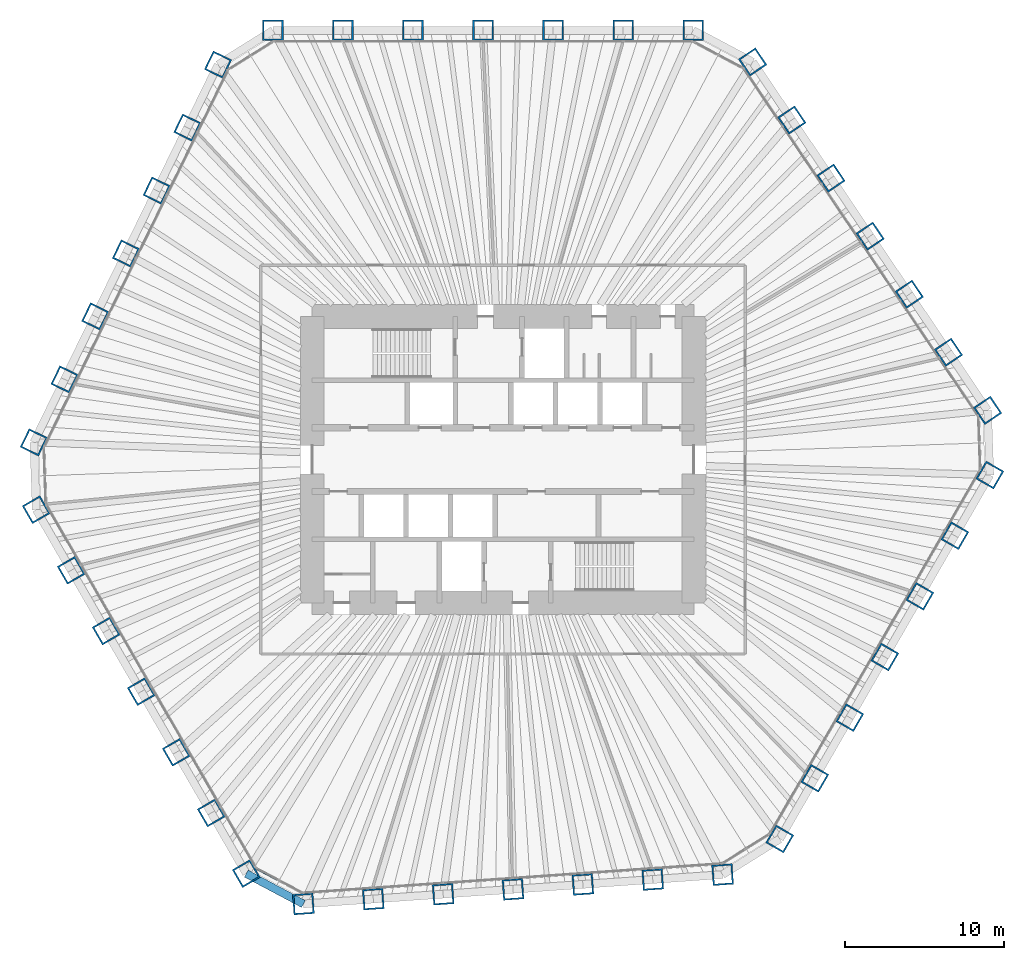
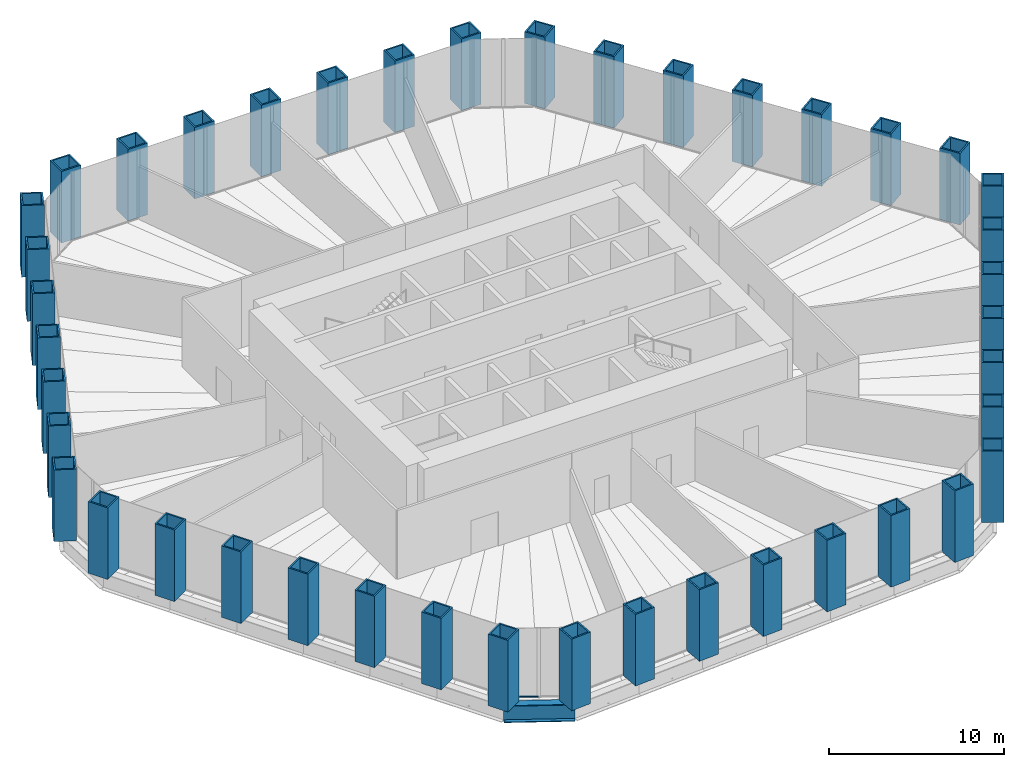
# One storey, part 1 of 13: 42 columns, 1 beam, 1 member, 1 element without a shape of its own.
"""IFC4 building model written with IfcOpenShell, lengths in metres."""

from ifc_helpers import new_model, si_unit, direction, frame, origin, origin_2d, place, context, subcontext, project, spatial, rectangle, hollow_rectangle, i_section, extrude, material, material_profile, profile_set, type_object, element, aggregate, save


model = new_model("IFC4")

# Units and contexts
model_context = context("Model", 3, precision=1e-05, world=origin(), true_north=direction((0.0, 1.0)))
body_context = subcontext(model_context, "Body", "Model", "MODEL_VIEW")
ifc_project = project(units=[si_unit("LENGTHUNIT", "METRE"), si_unit("AREAUNIT", "SQUARE_METRE"), si_unit("VOLUMEUNIT", "CUBIC_METRE"), si_unit("PLANEANGLEUNIT", "RADIAN"), si_unit("MASSUNIT", "GRAM", prefix="KILO")], contexts=[model_context])

# Site, building, storey
site_placement = place(None, origin())
site = spatial("IfcSite", under=ifc_project, at=site_placement, CompositionType="ELEMENT")
building_placement = place(site_placement, origin())
building = spatial("IfcBuilding", under=site, at=building_placement, Name="Qingtian Harvest Tower", CompositionType="ELEMENT")
storey_placement = place(building_placement, frame((0.0, 0.0, 32.0)))
storey = spatial("IfcBuildingStorey", under=building, at=storey_placement, Name="L06", CompositionType="ELEMENT", Elevation=32.0)

# Columns
ifc_material_1 = material(Name="Steel SM570MC", Category="steel")
ifc_material_profile_1 = material_profile(ifc_material_1, hollow_rectangle(XDim=1.300048828125, YDim=1.300048828125, WallThickness=0.10009765625, at=origin_2d()), Name="BOX1300x1300x100")
ifc_profile_set_1 = profile_set([ifc_material_profile_1], Name="Steel SM570MC")
column_type = type_object("IfcColumnType", Name="Tube column TC1 BOX1300x1300x100", PredefinedType="COLUMN", material=ifc_profile_set_1)
for number, where, z_axis, x_axis, name in (
    (1, (-14.471435546875, 27.0, 0.0), (0.0, 0.0, 1.0), (-1.0, 0.0, 0.0), "Tube column TC1 N0"),
    (2, (-10.06689453125, 27.0, 0.0), (0.0, 0.0, 1.0), (-1.0, 0.0, 0.0), "Tube column TC1 N1"),
    (3, (-5.662353515625, 27.0, 0.0), (0.0, 0.0, 1.0), (-1.0, 0.0, 0.0), "Tube column TC1 N2"),
    (4, (-1.257568359375, 27.0, 0.0), (0.0, 0.0, 1.0), (-1.0, 0.0, 0.0), "Tube column TC1 N3"),
    (5, (3.14697265625, 27.0, 0.0), (0.0, 0.0, 1.0), (-1.0, 0.0, 0.0), "Tube column TC1 N4"),
    (6, (7.551513671875, 27.0, 0.0), (0.0, 0.0, 1.0), (-1.0, 0.0, 0.0), "Tube column TC1 N5"),
    (7, (11.9560546875, 27.0, 0.0), (0.0, 0.0, 1.0), (-1.0, 0.0, 0.0), "Tube column TC1 N6"),
    (8, (15.6982421875, 25.01025390625, 0.0), (0.0, 0.0, 1.0), (-0.559192903471, 0.829037572555, 0.0), "Tube column TC1 NE0"),
    (9, (18.1611328125, 21.358642578125, 0.0), (0.0, 0.0, 1.0), (-0.559192903471, 0.829037572555, 0.0), "Tube column TC1 NE1"),
    (10, (20.624267578125, 17.70703125, 0.0), (0.0, 0.0, 1.0), (-0.559192903471, 0.829037572555, 0.0), "Tube column TC1 NE2"),
    (11, (23.08740234375, 14.0556640625, 0.0), (0.0, 0.0, 1.0), (-0.559192903471, 0.829037572555, 0.0), "Tube column TC1 NE3"),
    (12, (25.55029296875, 10.404052734375, 0.0), (0.0, 0.0, 1.0), (-0.559192903471, 0.829037572555, 0.0), "Tube column TC1 NE4"),
    (13, (28.013427734375, 6.75244140625, 0.0), (0.0, 0.0, 1.0), (-0.559192903471, 0.829037572555, 0.0), "Tube column TC1 NE5"),
    (14, (30.476318359375, 3.100830078125, 0.0), (0.0, 0.0, 1.0), (-0.559192903471, 0.829037572555, 0.0), "Tube column TC1 NE6"),
    (15, (30.618408203125, -0.96728515625, 0.0), (0.0, 0.0, 1.0), (0.5, 0.866025403784, 0.0), "Tube column TC1 SE0"),
    (16, (28.416015625, -4.78173828125, 0.0), (0.0, 0.0, 1.0), (0.5, 0.866025403784, 0.0), "Tube column TC1 SE1"),
    (17, (26.2138671875, -8.596435546875, 0.0), (0.0, 0.0, 1.0), (0.5, 0.866025403784, 0.0), "Tube column TC1 SE2"),
    (18, (24.011474609375, -12.410888671875, 0.0), (0.0, 0.0, 1.0), (0.5, 0.866025403784, 0.0), "Tube column TC1 SE3"),
    (19, (21.809326171875, -16.225341796875, 0.0), (0.0, 0.0, 1.0), (0.5, 0.866025403784, 0.0), "Tube column TC1 SE4"),
    (20, (19.60693359375, -20.039794921875, 0.0), (0.0, 0.0, 1.0), (0.5, 0.866025403784, 0.0), "Tube column TC1 SE5"),
    (21, (17.404541015625, -23.854248046875, 0.0), (0.0, 0.0, 1.0), (0.5, 0.866025403784, 0.0), "Tube column TC1 SE6"),
    (22, (13.810546875, -26.10009765625, 0.0), (0.0, 0.0, 1.0), (0.99756405026, 0.069756473744, 0.0), "Tube column TC1 S0"),
    (23, (9.41650390625, -26.407470703125, 0.0), (0.0, 0.0, 1.0), (0.99756405026, 0.069756473744, 0.0), "Tube column TC1 S1"),
    (24, (5.022705078125, -26.714599609375, 0.0), (0.0, 0.0, 1.0), (0.99756405026, 0.069756473744, 0.0), "Tube column TC1 S2"),
    (25, (0.62890625, -27.02197265625, 0.0), (0.0, 0.0, 1.0), (0.99756405026, 0.069756473744, 0.0), "Tube column TC1 S3"),
    (26, (-3.76513671875, -27.3291015625, 0.0), (0.0, 0.0, 1.0), (0.99756405026, 0.069756473744, 0.0), "Tube column TC1 S4"),
    (27, (-8.158935546875, -27.636474609375, 0.0), (0.0, 0.0, 1.0), (0.99756405026, 0.069756473744, 0.0), "Tube column TC1 S5"),
    (28, (-12.552734375, -27.943603515625, 0.0), (0.0, 0.0, 1.0), (0.99756405026, 0.069756473744, 0.0), "Tube column TC1 S6"),
    (29, (-16.14697265625, -26.03271484375, 0.0), (0.0, 0.0, 1.0), (0.5, -0.866025403784, 0.0), "Tube column TC1 SW0"),
    (30, (-18.349365234375, -22.21826171875, 0.0), (0.0, 0.0, 1.0), (0.5, -0.866025403784, 0.0), "Tube column TC1 SW1"),
    (31, (-20.551513671875, -18.403564453125, 0.0), (0.0, 0.0, 1.0), (0.5, -0.866025403784, 0.0), "Tube column TC1 SW2"),
    (32, (-22.75390625, -14.589111328125, 0.0), (0.0, 0.0, 1.0), (0.5, -0.866025403784, 0.0), "Tube column TC1 SW3"),
    (33, (-24.9560546875, -10.774658203125, 0.0), (0.0, 0.0, 1.0), (0.5, -0.866025403784, 0.0), "Tube column TC1 SW4"),
    (34, (-27.158447265625, -6.960205078125, 0.0), (0.0, 0.0, 1.0), (0.5, -0.866025403784, 0.0), "Tube column TC1 SW5"),
    (35, (-29.36083984375, -3.145751953125, 0.0), (0.0, 0.0, 1.0), (0.5, -0.866025403784, 0.0), "Tube column TC1 SW6"),
    (36, (-29.5087890625, 1.08984375, 0.0), (0.0, 0.0, 1.0), (-0.438371146789, -0.898794046299, 0.0), "Tube column TC1 NW0"),
    (37, (-27.577880859375, 5.048828125, 0.0), (0.0, 0.0, 1.0), (-0.438371146789, -0.898794046299, 0.0), "Tube column TC1 NW1"),
    (38, (-25.64697265625, 9.007568359375, 0.0), (0.0, 0.0, 1.0), (-0.438371146789, -0.898794046299, 0.0), "Tube column TC1 NW2"),
    (39, (-23.716064453125, 12.96630859375, 0.0), (0.0, 0.0, 1.0), (-0.438371146789, -0.898794046299, 0.0), "Tube column TC1 NW3"),
    (40, (-21.78515625, 16.92529296875, 0.0), (0.0, 0.0, 1.0), (-0.438371146789, -0.898794046299, 0.0), "Tube column TC1 NW4"),
    (41, (-19.8544921875, 20.884033203125, 0.0), (0.0, 0.0, 1.0), (-0.438371146789, -0.898794046299, 0.0), "Tube column TC1 NW5"),
    (42, (-17.923583984375, 24.8427734375, 0.0), (0.0, 0.0, 1.0), (-0.438371146789, -0.898794046299, 0.0), "Tube column TC1 NW6"),
):
    element("IfcColumn", number, at=place(storey_placement, frame(where, z_axis=z_axis, x_axis=x_axis)), inside=storey, type_object=column_type, Name=name, PredefinedType="COLUMN", context=body_context, shape_type="SweptSolid", body=[
        extrude(hollow_rectangle(XDim=1.300048828125, YDim=1.300048828125, WallThickness=0.10009765625, at=origin_2d()), origin(), (0.0, 0.0, 1.0), 5.0),
    ])

# Beam
ifc_material_2 = material(Name="Steel SM570MC", Category="steel")
ifc_material_profile_2 = material_profile(ifc_material_2, i_section(OverallWidth=0.5, OverallDepth=1.199951171875, WebThickness=0.02490234375, FlangeThickness=0.050048828125, at=origin_2d()), Name="H1200x500x25x50")
ifc_profile_set_2 = profile_set([ifc_material_profile_2], Name="Steel SM570MC")
beam_type = type_object("IfcBeamType", Name="Spandrel beam SB1 H1200x500x25x50", PredefinedType="SPANDREL", material=ifc_profile_set_2)
beam_placement = place(storey_placement, frame((-12.552734375, -27.943603515625, -0.60009765625), z_axis=(-0.882968133669, 0.469432929101, 0.0), x_axis=(-0.469432929101, -0.882968133669, 0.0)))
element("IfcBeam", 43, at=beam_placement, inside=storey, type_object=beam_type, Name="Spandrel SB1 SC", PredefinedType="SPANDREL", context=body_context, shape_type="SweptSolid", body=[
    extrude(i_section(OverallWidth=0.5, OverallDepth=1.199951171875, WebThickness=0.02490234375, FlangeThickness=0.050048828125, at=origin_2d()), origin(), (0.0, 0.0, 1.0), 4.070556640625),
])

# Curtain wall, member
ifc_material_3 = material(Name="Bronze-anodised aluminium curtain wall", Category="aluminium")
curtain_wall_type = type_object("IfcCurtainWallType", Name="Curtain wall CW2 farm reception", PredefinedType="USERDEFINED", material=ifc_material_3)
curtain_wall_placement = place(storey_placement, origin())
curtain_wall = element("IfcCurtainWall", 44, at=curtain_wall_placement, inside=storey, type_object=curtain_wall_type, Name="Curtain wall CW2 L06 SC", ObjectType="RECESSED CURTAIN WALL", PredefinedType="USERDEFINED")
ifc_material_4 = material(Name="Bronze-anodised aluminium transom", Category="aluminium")
ifc_material_profile_3 = material_profile(ifc_material_4, rectangle(XDim=0.14990234375, YDim=0.06494140625, at=origin_2d()), Name="AL 65x150")
ifc_profile_set_3 = profile_set([ifc_material_profile_3], Name="Bronze-anodised aluminium transom")
member_type = type_object("IfcMemberType", Name="Transom CWT 65x150", PredefinedType="USERDEFINED", material=ifc_profile_set_3)
member_placement = place(storey_placement, frame((-14.099853515625, -26.44873046875, 0.032470703125), z_axis=(-0.882960338349, 0.46944759122, 0.0), x_axis=(-0.46944759122, -0.882960338349, 0.0)))
member = element("IfcMember", 45, at=member_placement, type_object=member_type, Name="CW2 transom 2.1", ObjectType="TRANSOM", PredefinedType="USERDEFINED", context=body_context, shape_type="SweptSolid", body=[
    extrude(rectangle(XDim=0.14990234375, YDim=0.06494140625, at=origin_2d()), origin(), (0.0, 0.0, 1.0), 1.56689453125),
])
aggregate(curtain_wall, [member])

save(model, "model.ifc")
